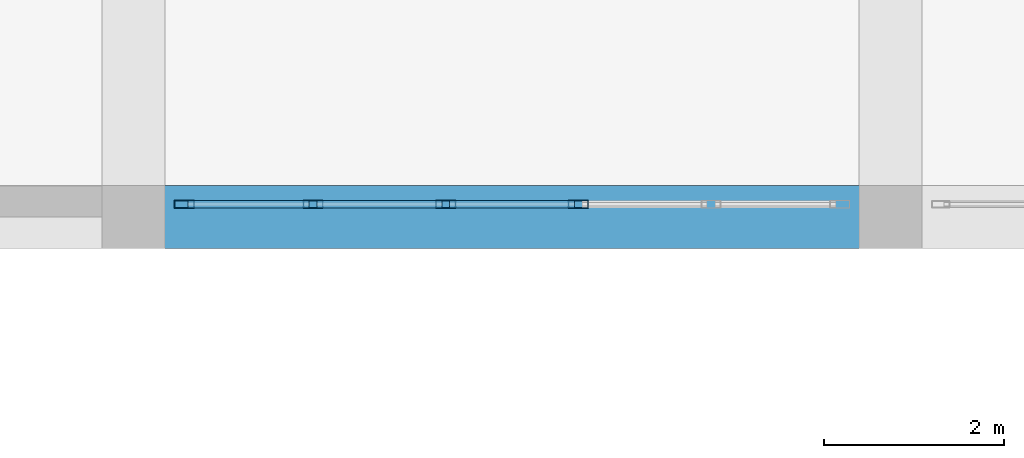
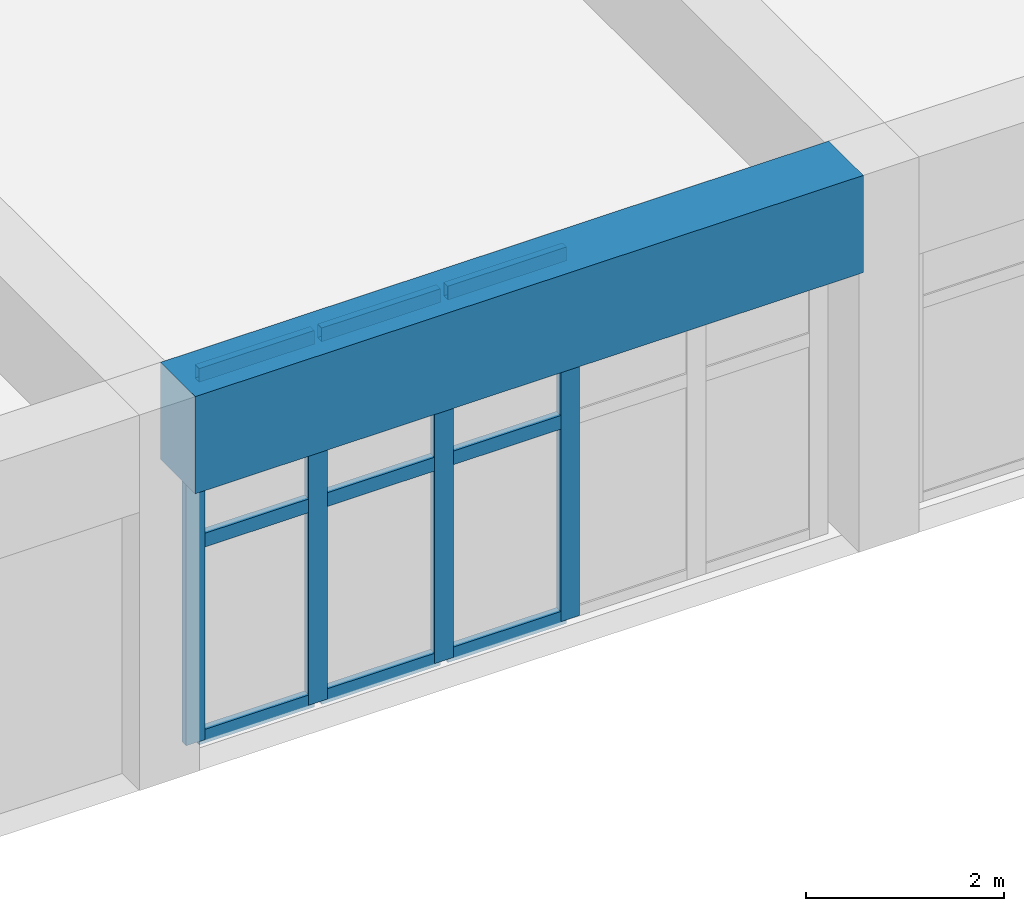
# One storey, part 11 of 72: 13 members, 1 beam, 1 element without a shape of its own.
"""IFC4 building model written with IfcOpenShell, lengths in metres."""

from ifc_helpers import new_model, si_unit, direction, frame, origin, origin_2d, place, context, subcontext, project, spatial, rectangle, hollow_rectangle, extrude, material, layer, layer_set, material_profile, profile_set, type_object, element, aggregate, save


model = new_model("IFC4")

# Units and contexts
model_context = context("Model", 3, precision=1e-05, world=origin(), true_north=direction((0.0, 1.0)))
body_context = subcontext(model_context, "Body", "Model", "MODEL_VIEW")
ifc_project = project(units=[si_unit("LENGTHUNIT", "METRE"), si_unit("AREAUNIT", "SQUARE_METRE"), si_unit("VOLUMEUNIT", "CUBIC_METRE"), si_unit("PLANEANGLEUNIT", "RADIAN"), si_unit("MASSUNIT", "GRAM", prefix="KILO")], contexts=[model_context])

# Site, building, storey
site_placement = place(None, origin())
site = spatial("IfcSite", under=ifc_project, at=site_placement, CompositionType="ELEMENT")
building_placement = place(site_placement, origin())
building = spatial("IfcBuilding", under=site, at=building_placement, Name="Xicomal Pleat Aquarium", CompositionType="ELEMENT")
storey_placement = place(building_placement, frame((0.0, 0.0, 10.5)))
storey = spatial("IfcBuildingStorey", under=building, at=storey_placement, Name="L03", CompositionType="ELEMENT", Elevation=10.5)

# Beam
ifc_material_1 = material(Name="Concrete C45/55", Category="concrete")
ifc_material_profile_1 = material_profile(ifc_material_1, rectangle(XDim=0.699951171875, YDim=1.199951171875, at=origin_2d()), Name="RC 700x1200")
ifc_profile_set_1 = profile_set([ifc_material_profile_1], Name="Concrete C45/55")
beam_type = type_object("IfcBeamType", Name="BM-RC-700x1200", PredefinedType="SPANDREL", material=ifc_profile_set_1)
beam_placement = place(storey_placement, frame((60.89990234375, 30.39990234375, 4.034912109375), z_axis=(1.0, 0.0, 0.0), x_axis=(0.0, 1.0, 0.0)))
element("IfcBeam", 1, at=beam_placement, inside=storey, type_object=beam_type, Name="Ocean hall shell edge girder 08-09/E", PredefinedType="SPANDREL", context=body_context, shape_type="SweptSolid", body=[
    extrude(rectangle(XDim=0.699951171875, YDim=1.199951171875, at=origin_2d()), origin(), (0.0, 0.0, 1.0), 7.800048828125),
])

# Curtain wall, members
ifc_material_2 = material(Name="Bronze anodized aluminium 6063-T6", Category="aluminium")
ifc_layer = layer(ifc_material_2, 0.159912109375)
ifc_layer_set = layer_set([ifc_layer], Name="Bronze anodized aluminium 6063-T6")
curtain_wall_type = type_object("IfcCurtainWallType", Name="CW-SYS-03", PredefinedType="NOTDEFINED", material=ifc_layer_set)
curtain_wall_placement = place(storey_placement, origin())
curtain_wall = element("IfcCurtainWall", 2, at=curtain_wall_placement, inside=storey, type_object=curtain_wall_type, Name="L03 unitised curtain wall CW-L03-167", PredefinedType="NOTDEFINED")
ifc_material_3 = material(Name="Bronze anodized aluminium 6063-T6", Category="aluminium")
ifc_material_profile_2 = material_profile(ifc_material_3, hollow_rectangle(XDim=0.0849609375, YDim=0.219970703125, WallThickness=0.0048828125, at=origin_2d()), Name="ALU MULL 85x220")
ifc_profile_set_2 = profile_set([ifc_material_profile_2], Name="Bronze anodized aluminium 6063-T6")
member_type_1 = type_object("IfcMemberType", Name="CWM-85x220", PredefinedType="MULLION", material=ifc_profile_set_2)
member_1_placement = place(storey_placement, frame((65.535888671875, 30.5400390625, 0.0), z_axis=(0.0, 0.0, 1.0), x_axis=(0.0, -1.0, 0.0)))
member_1 = element("IfcMember", 3, at=member_1_placement, type_object=member_type_1, Name="CW-03 mullion 3", PredefinedType="MULLION", context=body_context, shape_type="SweptSolid", body=[
    extrude(hollow_rectangle(XDim=0.0849609375, YDim=0.219970703125, WallThickness=0.0048828125, at=origin_2d()), origin(), (0.0, 0.0, 1.0), 4.56005859375),
])
member_2_placement = place(storey_placement, frame((64.06396484375, 30.5400390625, 0.0), z_axis=(0.0, 0.0, 1.0), x_axis=(0.0, -1.0, 0.0)))
member_2 = element("IfcMember", 4, at=member_2_placement, type_object=member_type_1, Name="CW-03 mullion 4", PredefinedType="MULLION", context=body_context, shape_type="SweptSolid", body=[
    extrude(hollow_rectangle(XDim=0.0849609375, YDim=0.219970703125, WallThickness=0.0048828125, at=origin_2d()), origin(), (0.0, 0.0, 1.0), 4.56005859375),
])
member_3_placement = place(storey_placement, frame((62.592041015625, 30.5400390625, 0.0), z_axis=(0.0, 0.0, 1.0), x_axis=(0.0, -1.0, 0.0)))
member_3 = element("IfcMember", 5, at=member_3_placement, type_object=member_type_1, Name="CW-03 mullion 5", PredefinedType="MULLION", context=body_context, shape_type="SweptSolid", body=[
    extrude(hollow_rectangle(XDim=0.0849609375, YDim=0.219970703125, WallThickness=0.0048828125, at=origin_2d()), origin(), (0.0, 0.0, 1.0), 4.56005859375),
])
member_4_placement = place(storey_placement, frame((61.16259765625, 30.5400390625, 0.0), z_axis=(0.0, 0.0, 1.0), x_axis=(0.0, -1.0, 0.0)))
member_4 = element("IfcMember", 6, at=member_4_placement, type_object=member_type_1, Name="CW-03 mullion 6", PredefinedType="MULLION", context=body_context, shape_type="SweptSolid", body=[
    extrude(hollow_rectangle(XDim=0.0849609375, YDim=0.219970703125, WallThickness=0.0048828125, at=origin_2d()), origin(), (0.0, 0.0, 1.0), 4.56005859375),
])
ifc_material_4 = material(Name="Bronze anodized aluminium 6063-T6", Category="aluminium")
ifc_material_profile_3 = material_profile(ifc_material_4, hollow_rectangle(XDim=0.0849609375, YDim=0.169921875, WallThickness=0.0048828125, at=origin_2d()), Name="ALU TRAN 85x170")
ifc_profile_set_3 = profile_set([ifc_material_profile_3], Name="Bronze anodized aluminium 6063-T6")
member_type_2 = type_object("IfcMemberType", Name="CWT-85x170", PredefinedType="USERDEFINED", material=ifc_profile_set_3)
member_5_placement = place(storey_placement, frame((65.493408203125, 30.5400390625, 0.04248046875), z_axis=(-1.0, 0.0, 0.0), x_axis=(0.0, -1.0, 0.0)))
member_5 = element("IfcMember", 7, at=member_5_placement, type_object=member_type_2, Name="CW-03 transom 3.1", ObjectType="TRANSOM", PredefinedType="USERDEFINED", context=body_context, shape_type="SweptSolid", body=[
    extrude(hollow_rectangle(XDim=0.0849609375, YDim=0.169921875, WallThickness=0.0048828125, at=origin_2d()), origin(), (0.0, 0.0, 1.0), 1.386962890625),
])
member_6_placement = place(storey_placement, frame((65.493408203125, 30.5400390625, 2.4619140625), z_axis=(-1.0, 0.0, 0.0), x_axis=(0.0, -1.0, 0.0)))
member_6 = element("IfcMember", 8, at=member_6_placement, type_object=member_type_2, Name="CW-03 transom 3.2", ObjectType="TRANSOM", PredefinedType="USERDEFINED", context=body_context, shape_type="SweptSolid", body=[
    extrude(hollow_rectangle(XDim=0.0849609375, YDim=0.169921875, WallThickness=0.0048828125, at=origin_2d()), origin(), (0.0, 0.0, 1.0), 1.386962890625),
])
member_7_placement = place(storey_placement, frame((65.493408203125, 30.5400390625, 4.517578125), z_axis=(-1.0, 0.0, 0.0), x_axis=(0.0, -1.0, 0.0)))
member_7 = element("IfcMember", 9, at=member_7_placement, type_object=member_type_2, Name="CW-03 transom 3.3", ObjectType="TRANSOM", PredefinedType="USERDEFINED", context=body_context, shape_type="SweptSolid", body=[
    extrude(hollow_rectangle(XDim=0.0849609375, YDim=0.169921875, WallThickness=0.0048828125, at=origin_2d()), origin(), (0.0, 0.0, 1.0), 1.386962890625),
])
member_8_placement = place(storey_placement, frame((64.021484375, 30.5400390625, 0.04248046875), z_axis=(-1.0, 0.0, 0.0), x_axis=(0.0, -1.0, 0.0)))
member_8 = element("IfcMember", 10, at=member_8_placement, type_object=member_type_2, Name="CW-03 transom 4.1", ObjectType="TRANSOM", PredefinedType="USERDEFINED", context=body_context, shape_type="SweptSolid", body=[
    extrude(hollow_rectangle(XDim=0.0849609375, YDim=0.169921875, WallThickness=0.0048828125, at=origin_2d()), origin(), (0.0, 0.0, 1.0), 1.386962890625),
])
member_9_placement = place(storey_placement, frame((64.021484375, 30.5400390625, 2.4619140625), z_axis=(-1.0, 0.0, 0.0), x_axis=(0.0, -1.0, 0.0)))
member_9 = element("IfcMember", 11, at=member_9_placement, type_object=member_type_2, Name="CW-03 transom 4.2", ObjectType="TRANSOM", PredefinedType="USERDEFINED", context=body_context, shape_type="SweptSolid", body=[
    extrude(hollow_rectangle(XDim=0.0849609375, YDim=0.169921875, WallThickness=0.0048828125, at=origin_2d()), origin(), (0.0, 0.0, 1.0), 1.386962890625),
])
member_10_placement = place(storey_placement, frame((64.021484375, 30.5400390625, 4.517578125), z_axis=(-1.0, 0.0, 0.0), x_axis=(0.0, -1.0, 0.0)))
member_10 = element("IfcMember", 12, at=member_10_placement, type_object=member_type_2, Name="CW-03 transom 4.3", ObjectType="TRANSOM", PredefinedType="USERDEFINED", context=body_context, shape_type="SweptSolid", body=[
    extrude(hollow_rectangle(XDim=0.0849609375, YDim=0.169921875, WallThickness=0.0048828125, at=origin_2d()), origin(), (0.0, 0.0, 1.0), 1.386962890625),
])
member_11_placement = place(storey_placement, frame((62.549560546875, 30.5400390625, 0.04248046875), z_axis=(-1.0, 0.0, 0.0), x_axis=(0.0, -1.0, 0.0)))
member_11 = element("IfcMember", 13, at=member_11_placement, type_object=member_type_2, Name="CW-03 transom 5.1", ObjectType="TRANSOM", PredefinedType="USERDEFINED", context=body_context, shape_type="SweptSolid", body=[
    extrude(hollow_rectangle(XDim=0.0849609375, YDim=0.169921875, WallThickness=0.0048828125, at=origin_2d()), origin(), (0.0, 0.0, 1.0), 1.344482421875),
])
member_12_placement = place(storey_placement, frame((62.549560546875, 30.5400390625, 2.4619140625), z_axis=(-1.0, 0.0, 0.0), x_axis=(0.0, -1.0, 0.0)))
member_12 = element("IfcMember", 14, at=member_12_placement, type_object=member_type_2, Name="CW-03 transom 5.2", ObjectType="TRANSOM", PredefinedType="USERDEFINED", context=body_context, shape_type="SweptSolid", body=[
    extrude(hollow_rectangle(XDim=0.0849609375, YDim=0.169921875, WallThickness=0.0048828125, at=origin_2d()), origin(), (0.0, 0.0, 1.0), 1.344482421875),
])
member_13_placement = place(storey_placement, frame((62.549560546875, 30.5400390625, 4.517578125), z_axis=(-1.0, 0.0, 0.0), x_axis=(0.0, -1.0, 0.0)))
member_13 = element("IfcMember", 15, at=member_13_placement, type_object=member_type_2, Name="CW-03 transom 5.3", ObjectType="TRANSOM", PredefinedType="USERDEFINED", context=body_context, shape_type="SweptSolid", body=[
    extrude(hollow_rectangle(XDim=0.0849609375, YDim=0.169921875, WallThickness=0.0048828125, at=origin_2d()), origin(), (0.0, 0.0, 1.0), 1.344482421875),
])
aggregate(curtain_wall, [member_1, member_2, member_3, member_4, member_5, member_6, member_7, member_8, member_9, member_10, member_11, member_12, member_13])

save(model, "model.ifc")
